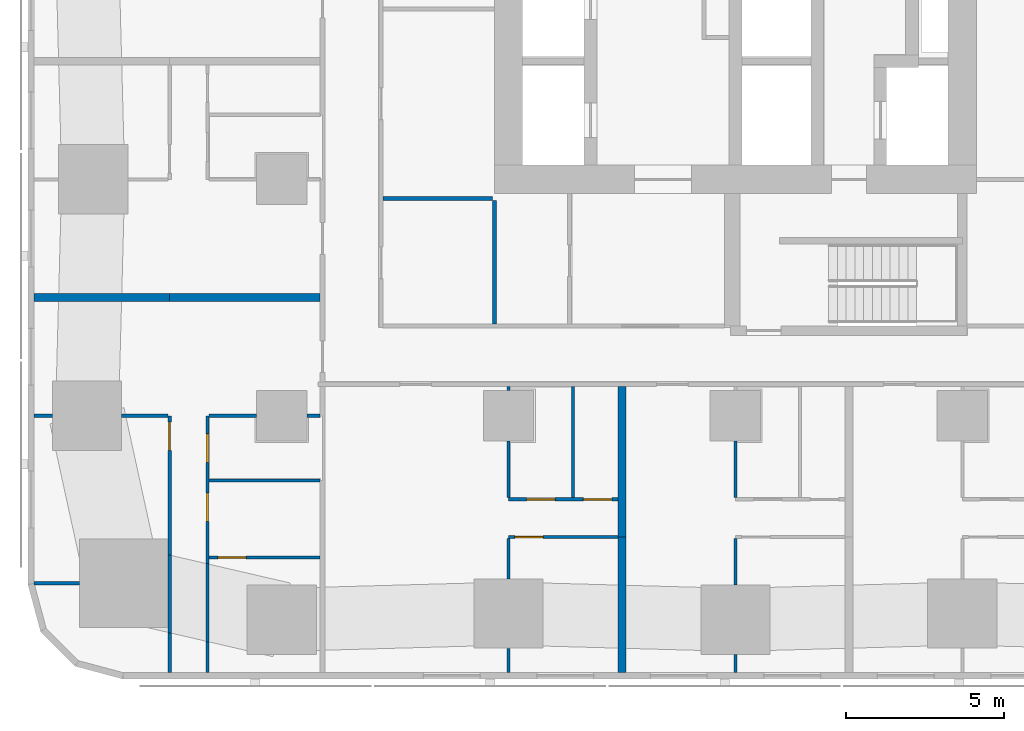
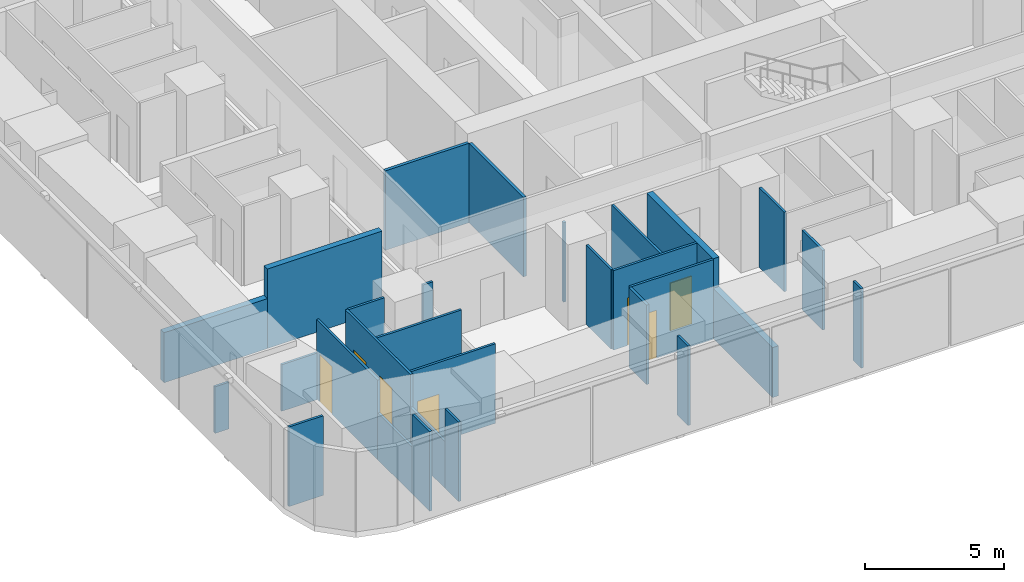
# One storey, part 2 of 16: 29 walls, 7 doors, 7 openings.
"""IFC4 building model written with IfcOpenShell, lengths in metres."""

from ifc_helpers import new_model, si_unit, direction, frame, frame_2d, origin, place, context, subcontext, project, spatial, rectangle, extrude, material, layer, layer_set, type_object, element, fill, save


model = new_model("IFC4")

# Units and contexts
model_context = context("Model", 3, precision=1e-05, world=origin(), true_north=direction((0.0, 1.0)))
body_context = subcontext(model_context, "Body", "Model", "MODEL_VIEW")
ifc_project = project(units=[si_unit("LENGTHUNIT", "METRE"), si_unit("AREAUNIT", "SQUARE_METRE"), si_unit("VOLUMEUNIT", "CUBIC_METRE"), si_unit("PLANEANGLEUNIT", "RADIAN"), si_unit("MASSUNIT", "GRAM", prefix="KILO")], contexts=[model_context])

# Site, building, storey
site_placement = place(None, origin())
site = spatial("IfcSite", under=ifc_project, at=site_placement, CompositionType="ELEMENT")
building_placement = place(site_placement, origin())
building = spatial("IfcBuilding", under=site, at=building_placement, Name="Sheger Commons Tower", CompositionType="ELEMENT")
storey_placement = place(building_placement, frame((0.0, 0.0, 96.64990234375)))
storey = spatial("IfcBuildingStorey", under=building, at=storey_placement, Name="L24", CompositionType="ELEMENT", Elevation=96.64990234375)

# Walls
ifc_material_1 = material(Name="Dense concrete block masonry, plastered both sides (separating wall between flats)", Category="masonry")
ifc_layer_1 = layer(ifc_material_1, 0.25)
ifc_layer_set_1 = layer_set([ifc_layer_1], Name="DEMISING WALL 250")
wall_type_1 = type_object("IfcWallType", Name="DEMISING WALL 250", PredefinedType="SOLIDWALL", material=ifc_layer_set_1)
wall_1_placement = place(storey_placement, frame((-0.64990234375, 11.25, 0.0), z_axis=(0.0, 0.0, 1.0), x_axis=(1.0, 0.0, 0.0)))
element("IfcWall", 1, at=wall_1_placement, inside=storey, type_object=wall_type_1, Name="Demising wall L24", PredefinedType="SOLIDWALL", context=body_context, shape_type="SweptSolid", body=[
    extrude(rectangle(XDim=4.2998046875, YDim=0.25, at=frame_2d((2.14990234375, 0.0))), origin(), (0.0, 0.0, 1.0), 2.2001953125),
])
wall_2_placement = place(storey_placement, frame((3.64990234375, 11.25, 0.0), z_axis=(0.0, 0.0, 1.0), x_axis=(1.0, 0.0, 0.0)))
element("IfcWall", 2, at=wall_2_placement, inside=storey, type_object=wall_type_1, Name="Demising wall L24", PredefinedType="SOLIDWALL", context=body_context, shape_type="SweptSolid", body=[
    extrude(rectangle(XDim=4.775146484375, YDim=0.25, at=frame_2d((2.3876953125, 0.0))), origin(), (0.0, 0.0, 1.0), 3.5),
])
wall_3_placement = place(storey_placement, frame((18.0, -0.64990234375, 0.0), z_axis=(0.0, 0.0, 1.0), x_axis=(0.0, 1.0, 0.0)))
element("IfcWall", 3, at=wall_3_placement, inside=storey, type_object=wall_type_1, Name="Demising wall L24", PredefinedType="SOLIDWALL", context=body_context, shape_type="SweptSolid", body=[
    extrude(rectangle(XDim=4.2998046875, YDim=0.25, at=frame_2d((2.14990234375, 0.0))), origin(), (0.0, 0.0, 1.0), 2.2001953125),
])
wall_4_placement = place(storey_placement, frame((18.0, 3.64990234375, 0.0), z_axis=(0.0, 0.0, 1.0), x_axis=(0.0, 1.0, 0.0)))
element("IfcWall", 4, at=wall_4_placement, inside=storey, type_object=wall_type_1, Name="Demising wall L24", PredefinedType="SOLIDWALL", context=body_context, shape_type="SweptSolid", body=[
    extrude(rectangle(XDim=4.775146484375, YDim=0.25, at=frame_2d((2.3876953125, 0.0))), origin(), (0.0, 0.0, 1.0), 3.5),
])
ifc_material_2 = material(Name="Gypsum board on steel studs", Category="steel")
ifc_layer_2 = layer(ifc_material_2, 0.10009765625)
ifc_layer_set_2 = layer_set([ifc_layer_2], Name="PARTITION 100")
wall_type_2 = type_object("IfcWallType", Name="PARTITION 100", PredefinedType="PARTITIONING", material=ifc_layer_set_2)
wall_5_placement = place(storey_placement, frame((3.64990234375, -0.64990234375, 0.0), z_axis=(0.0, 0.0, 1.0), x_axis=(0.0, 1.0, 0.0)))
element("IfcWall", 5, at=wall_5_placement, inside=storey, type_object=wall_type_2, Name="Partition L24", PredefinedType="PARTITIONING", context=body_context, shape_type="SweptSolid", body=[
    extrude(rectangle(XDim=1.25390625, YDim=0.10009765625, at=frame_2d((0.626953125, 0.0))), origin(), (0.0, 0.0, 1.0), 3.5),
])
wall_6_placement = place(storey_placement, frame((3.64990234375, 0.60400390625, 0.0), z_axis=(0.0, 0.0, 1.0), x_axis=(0.0, 1.0, 0.0)))
element("IfcWall", 6, at=wall_6_placement, inside=storey, type_object=wall_type_2, Name="Partition L24", PredefinedType="PARTITIONING", context=body_context, shape_type="SweptSolid", body=[
    extrude(rectangle(XDim=2.486083984375, YDim=0.10009765625, at=frame_2d((1.2431640625, 0.0))), origin(), (0.0, 0.0, 1.0), 2.050048828125),
])

# Wall, opening, door
wall_7_placement = place(storey_placement, frame((3.64990234375, 3.090087890625, 0.0), z_axis=(0.0, 0.0, 1.0), x_axis=(0.0, 1.0, 0.0)))
wall_7 = element("IfcWall", 7, at=wall_7_placement, inside=storey, type_object=wall_type_2, Name="Partition L24", PredefinedType="PARTITIONING", context=body_context, shape_type="SweptSolid", body=[
    extrude(rectangle(XDim=4.409912109375, YDim=0.10009765625, at=frame_2d((2.205078125, 0.0))), origin(), (0.0, 0.0, 1.0), 3.5),
])
opening_1_placement = place(wall_7_placement, frame((3.31005859375, 0.0, 0.0)))
opening_1 = element("IfcOpeningElement", 8, at=opening_1_placement, cuts=wall_7, Name="Opening D2", PredefinedType="OPENING", context=body_context, shape_type="SweptSolid", body=[
    extrude(rectangle(XDim=0.89990234375, YDim=2.10009765625, at=frame_2d((0.449951171875, 1.050048828125))), frame((0.0, 0.06005859375, 0.0), z_axis=(0.0, -1.0, 0.0), x_axis=(1.0, 0.0, 0.0)), (0.0, 0.0, 1.0), 0.1201171875),
])
ifc_material_3 = material(Name="Timber door set", Category="wood")
door_type = type_object("IfcDoorType", Name="INTERNAL DOOR 900x2100", OperationType="NOTDEFINED", PredefinedType="DOOR", material=ifc_material_3)
door_1_placement = place(opening_1_placement, origin())
door_1 = element("IfcDoor", 9, at=door_1_placement, inside=storey, type_object=door_type, Name="Main bedroom door", OperationType="SINGLE_SWING_RIGHT", OverallHeight=2.10009765625, OverallWidth=0.89990234375, PredefinedType="DOOR", context=body_context, shape_type="SweptSolid", body=[
    extrude(rectangle(XDim=0.89990234375, YDim=2.10009765625, at=frame_2d((0.449951171875, 1.050048828125))), frame((0.0, 0.02490234375, 0.0), z_axis=(0.0, -1.0, 0.0), x_axis=(1.0, 0.0, 0.0)), (0.0, 0.0, 1.0), 0.050048828125),
])
fill(opening_1, door_1)

# Walls
wall_8_placement = place(storey_placement, frame((4.85009765625, -0.64990234375, 0.0), z_axis=(0.0, 0.0, 1.0), x_axis=(0.0, 1.0, 0.0)))
element("IfcWall", 10, at=wall_8_placement, inside=storey, type_object=wall_type_2, Name="Partition L24", PredefinedType="PARTITIONING", context=body_context, shape_type="SweptSolid", body=[
    extrude(rectangle(XDim=0.975830078125, YDim=0.10009765625, at=frame_2d((0.48779296875, 0.0))), origin(), (0.0, 0.0, 1.0), 3.5),
])
wall_9_placement = place(storey_placement, frame((4.85009765625, 0.325927734375, 0.0), z_axis=(0.0, 0.0, 1.0), x_axis=(0.0, 1.0, 0.0)))
element("IfcWall", 11, at=wall_9_placement, inside=storey, type_object=wall_type_2, Name="Partition L24", PredefinedType="PARTITIONING", context=body_context, shape_type="SweptSolid", body=[
    extrude(rectangle(XDim=2.486083984375, YDim=0.10009765625, at=frame_2d((1.2431640625, 0.0))), origin(), (0.0, 0.0, 1.0), 2.050048828125),
])

# Wall, openings, doors
wall_10_placement = place(storey_placement, frame((4.85009765625, 2.81201171875, 0.0), z_axis=(0.0, 0.0, 1.0), x_axis=(0.0, 1.0, 0.0)))
wall_10 = element("IfcWall", 12, at=wall_10_placement, inside=storey, type_object=wall_type_2, Name="Partition L24", PredefinedType="PARTITIONING", context=body_context, shape_type="SweptSolid", body=[
    extrude(rectangle(XDim=4.68798828125, YDim=0.10009765625, at=frame_2d((2.343994140625, 0.0))), origin(), (0.0, 0.0, 1.0), 3.5),
])
opening_2_placement = place(wall_10_placement, frame((3.212890625, 0.0, 0.0)))
opening_2 = element("IfcOpeningElement", 13, at=opening_2_placement, cuts=wall_10, Name="Opening D2", PredefinedType="OPENING", context=body_context, shape_type="SweptSolid", body=[
    extrude(rectangle(XDim=0.89990234375, YDim=2.10009765625, at=frame_2d((0.449951171875, 1.050048828125))), frame((0.0, 0.06005859375, 0.0), z_axis=(0.0, -1.0, 0.0), x_axis=(1.0, 0.0, 0.0)), (0.0, 0.0, 1.0), 0.1201171875),
])
opening_3_placement = place(wall_10_placement, frame((1.337890625, 0.0, 0.0)))
opening_3 = element("IfcOpeningElement", 14, at=opening_3_placement, cuts=wall_10, Name="Opening D2", PredefinedType="OPENING", context=body_context, shape_type="SweptSolid", body=[
    extrude(rectangle(XDim=0.89990234375, YDim=2.10009765625, at=frame_2d((0.449951171875, 1.050048828125))), frame((0.0, 0.06005859375, 0.0), z_axis=(0.0, -1.0, 0.0), x_axis=(1.0, 0.0, 0.0)), (0.0, 0.0, 1.0), 0.1201171875),
])
door_2_placement = place(opening_2_placement, origin())
door_2 = element("IfcDoor", 15, at=door_2_placement, inside=storey, type_object=door_type, Name="Bathroom door", OperationType="SINGLE_SWING_LEFT", OverallHeight=2.10009765625, OverallWidth=0.89990234375, PredefinedType="DOOR", context=body_context, shape_type="SweptSolid", body=[
    extrude(rectangle(XDim=0.89990234375, YDim=2.10009765625, at=frame_2d((0.449951171875, 1.050048828125))), frame((0.0, 0.02490234375, 0.0), z_axis=(0.0, -1.0, 0.0), x_axis=(1.0, 0.0, 0.0)), (0.0, 0.0, 1.0), 0.050048828125),
])
fill(opening_2, door_2)
door_3_placement = place(opening_3_placement, origin())
door_3 = element("IfcDoor", 16, at=door_3_placement, inside=storey, type_object=door_type, Name="Store door", OperationType="SINGLE_SWING_LEFT", OverallHeight=2.10009765625, OverallWidth=0.89990234375, PredefinedType="DOOR", context=body_context, shape_type="SweptSolid", body=[
    extrude(rectangle(XDim=0.89990234375, YDim=2.10009765625, at=frame_2d((0.449951171875, 1.050048828125))), frame((0.0, 0.02490234375, 0.0), z_axis=(0.0, -1.0, 0.0), x_axis=(1.0, 0.0, 0.0)), (0.0, 0.0, 1.0), 0.050048828125),
])
fill(opening_3, door_3)

# Walls
wall_11_placement = place(storey_placement, frame((-0.64990234375, 2.18603515625, 0.0), z_axis=(0.0, 0.0, 1.0), x_axis=(1.0, 0.0, 0.0)))
element("IfcWall", 17, at=wall_11_placement, inside=storey, type_object=wall_type_2, Name="Partition L24", PredefinedType="PARTITIONING", context=body_context, shape_type="SweptSolid", body=[
    extrude(rectangle(XDim=1.434814453125, YDim=0.10009765625, at=frame_2d((0.71728515625, 0.0))), origin(), (0.0, 0.0, 1.0), 3.5),
])
wall_12_placement = place(storey_placement, frame((-0.64990234375, 7.5, 0.0), z_axis=(0.0, 0.0, 1.0), x_axis=(1.0, 0.0, 0.0)))
element("IfcWall", 18, at=wall_12_placement, inside=storey, type_object=wall_type_2, Name="Partition L24", PredefinedType="PARTITIONING", context=body_context, shape_type="SweptSolid", body=[
    extrude(rectangle(XDim=0.573974609375, YDim=0.10009765625, at=frame_2d((0.287109375, 0.0))), origin(), (0.0, 0.0, 1.0), 2.050048828125),
])
wall_13_placement = place(storey_placement, frame((2.1259765625, 7.5, 0.0), z_axis=(0.0, 0.0, 1.0), x_axis=(1.0, 0.0, 0.0)))
element("IfcWall", 19, at=wall_13_placement, inside=storey, type_object=wall_type_2, Name="Partition L24", PredefinedType="PARTITIONING", context=body_context, shape_type="SweptSolid", body=[
    extrude(rectangle(XDim=1.47412109375, YDim=0.10009765625, at=frame_2d((0.737060546875, 0.0))), origin(), (0.0, 0.0, 1.0), 2.050048828125),
])
wall_14_placement = place(storey_placement, frame((4.89990234375, 7.5, 0.0), z_axis=(0.0, 0.0, 1.0), x_axis=(1.0, 0.0, 0.0)))
element("IfcWall", 20, at=wall_14_placement, inside=storey, type_object=wall_type_2, Name="Partition L24", PredefinedType="PARTITIONING", context=body_context, shape_type="SweptSolid", body=[
    extrude(rectangle(XDim=1.4990234375, YDim=0.10009765625, at=frame_2d((0.74951171875, 0.0))), origin(), (0.0, 0.0, 1.0), 3.5),
])
wall_15_placement = place(storey_placement, frame((8.0009765625, 7.5, 0.0), z_axis=(0.0, 0.0, 1.0), x_axis=(1.0, 0.0, 0.0)))
element("IfcWall", 21, at=wall_15_placement, inside=storey, type_object=wall_type_2, Name="Partition L24", PredefinedType="PARTITIONING", context=body_context, shape_type="SweptSolid", body=[
    extrude(rectangle(XDim=0.424072265625, YDim=0.10009765625, at=frame_2d((0.2119140625, 0.0))), origin(), (0.0, 0.0, 1.0), 3.5),
])
wall_16_placement = place(storey_placement, frame((4.89990234375, 5.449951171875, 0.0), z_axis=(0.0, 0.0, 1.0), x_axis=(1.0, 0.0, 0.0)))
element("IfcWall", 22, at=wall_16_placement, inside=storey, type_object=wall_type_2, Name="Partition L24", PredefinedType="PARTITIONING", context=body_context, shape_type="SweptSolid", body=[
    extrude(rectangle(XDim=3.525146484375, YDim=0.10009765625, at=frame_2d((1.7626953125, 0.0))), origin(), (0.0, 0.0, 1.0), 3.5),
])

# Wall, opening, door
wall_17_placement = place(storey_placement, frame((17.875, 3.64990234375, 0.0), z_axis=(0.0, 0.0, 1.0), x_axis=(-1.0, 0.0, 0.0)))
wall_17 = element("IfcWall", 23, at=wall_17_placement, inside=storey, type_object=wall_type_2, Name="Partition L24", PredefinedType="PARTITIONING", context=body_context, shape_type="SweptSolid", body=[
    extrude(rectangle(XDim=3.47509765625, YDim=0.10009765625, at=frame_2d((1.737548828125, 0.0))), origin(), (0.0, 0.0, 1.0), 3.5),
])
opening_4_placement = place(wall_17_placement, frame((2.375, 0.0, 0.0)))
opening_4 = element("IfcOpeningElement", 24, at=opening_4_placement, cuts=wall_17, Name="Opening D2", PredefinedType="OPENING", context=body_context, shape_type="SweptSolid", body=[
    extrude(rectangle(XDim=0.89990234375, YDim=2.10009765625, at=frame_2d((0.449951171875, 1.050048828125))), frame((0.0, 0.06005859375, 0.0), z_axis=(0.0, -1.0, 0.0), x_axis=(1.0, 0.0, 0.0)), (0.0, 0.0, 1.0), 0.1201171875),
])
door_4_placement = place(opening_4_placement, origin())
door_4 = element("IfcDoor", 25, at=door_4_placement, inside=storey, type_object=door_type, Name="Main bedroom door", OperationType="SINGLE_SWING_RIGHT", OverallHeight=2.10009765625, OverallWidth=0.89990234375, PredefinedType="DOOR", context=body_context, shape_type="SweptSolid", body=[
    extrude(rectangle(XDim=0.89990234375, YDim=2.10009765625, at=frame_2d((0.449951171875, 1.050048828125))), frame((0.0, 0.02490234375, 0.0), z_axis=(0.0, -1.0, 0.0), x_axis=(1.0, 0.0, 0.0)), (0.0, 0.0, 1.0), 0.050048828125),
])
fill(opening_4, door_4)

# Wall, openings, doors
wall_18_placement = place(storey_placement, frame((17.875, 4.85009765625, 0.0), z_axis=(0.0, 0.0, 1.0), x_axis=(-1.0, 0.0, 0.0)))
wall_18 = element("IfcWall", 26, at=wall_18_placement, inside=storey, type_object=wall_type_2, Name="Partition L24", PredefinedType="PARTITIONING", context=body_context, shape_type="SweptSolid", body=[
    extrude(rectangle(XDim=3.47509765625, YDim=0.10009765625, at=frame_2d((1.737548828125, 0.0))), origin(), (0.0, 0.0, 1.0), 3.5),
])
opening_5_placement = place(wall_18_placement, frame((2.0, 0.0, 0.0)))
opening_5 = element("IfcOpeningElement", 27, at=opening_5_placement, cuts=wall_18, Name="Opening D2", PredefinedType="OPENING", context=body_context, shape_type="SweptSolid", body=[
    extrude(rectangle(XDim=0.89990234375, YDim=2.10009765625, at=frame_2d((0.449951171875, 1.050048828125))), frame((0.0, 0.06005859375, 0.0), z_axis=(0.0, -1.0, 0.0), x_axis=(1.0, 0.0, 0.0)), (0.0, 0.0, 1.0), 0.1201171875),
])
opening_6_placement = place(wall_18_placement, frame((0.199951171875, 0.0, 0.0)))
opening_6 = element("IfcOpeningElement", 28, at=opening_6_placement, cuts=wall_18, Name="Opening D2", PredefinedType="OPENING", context=body_context, shape_type="SweptSolid", body=[
    extrude(rectangle(XDim=0.89990234375, YDim=2.10009765625, at=frame_2d((0.449951171875, 1.050048828125))), frame((0.0, 0.06005859375, 0.0), z_axis=(0.0, -1.0, 0.0), x_axis=(1.0, 0.0, 0.0)), (0.0, 0.0, 1.0), 0.1201171875),
])
door_5_placement = place(opening_5_placement, origin())
door_5 = element("IfcDoor", 29, at=door_5_placement, inside=storey, type_object=door_type, Name="Bathroom door", OperationType="SINGLE_SWING_LEFT", OverallHeight=2.10009765625, OverallWidth=0.89990234375, PredefinedType="DOOR", context=body_context, shape_type="SweptSolid", body=[
    extrude(rectangle(XDim=0.89990234375, YDim=2.10009765625, at=frame_2d((0.449951171875, 1.050048828125))), frame((0.0, 0.02490234375, 0.0), z_axis=(0.0, -1.0, 0.0), x_axis=(1.0, 0.0, 0.0)), (0.0, 0.0, 1.0), 0.050048828125),
])
fill(opening_5, door_5)
door_6_placement = place(opening_6_placement, origin())
door_6 = element("IfcDoor", 30, at=door_6_placement, inside=storey, type_object=door_type, Name="Store door", OperationType="SINGLE_SWING_RIGHT", OverallHeight=2.10009765625, OverallWidth=0.89990234375, PredefinedType="DOOR", context=body_context, shape_type="SweptSolid", body=[
    extrude(rectangle(XDim=0.89990234375, YDim=2.10009765625, at=frame_2d((0.449951171875, 1.050048828125))), frame((0.0, 0.02490234375, 0.0), z_axis=(0.0, -1.0, 0.0), x_axis=(1.0, 0.0, 0.0)), (0.0, 0.0, 1.0), 0.050048828125),
])
fill(opening_6, door_6)

# Walls
wall_19_placement = place(storey_placement, frame((14.39990234375, -0.64990234375, 0.0), z_axis=(0.0, 0.0, 1.0), x_axis=(0.0, 1.0, 0.0)))
element("IfcWall", 31, at=wall_19_placement, inside=storey, type_object=wall_type_2, Name="Partition L24", PredefinedType="PARTITIONING", context=body_context, shape_type="SweptSolid", body=[
    extrude(rectangle(XDim=0.77392578125, YDim=0.10009765625, at=frame_2d((0.386962890625, 0.0))), origin(), (0.0, 0.0, 1.0), 3.5),
])
wall_20_placement = place(storey_placement, frame((14.39990234375, 2.325927734375, 0.0), z_axis=(0.0, 0.0, 1.0), x_axis=(0.0, 1.0, 0.0)))
element("IfcWall", 32, at=wall_20_placement, inside=storey, type_object=wall_type_2, Name="Partition L24", PredefinedType="PARTITIONING", context=body_context, shape_type="SweptSolid", body=[
    extrude(rectangle(XDim=1.274169921875, YDim=0.10009765625, at=frame_2d((0.63720703125, 0.0))), origin(), (0.0, 0.0, 1.0), 3.5),
])
wall_21_placement = place(storey_placement, frame((14.39990234375, 4.89990234375, 0.0), z_axis=(0.0, 0.0, 1.0), x_axis=(0.0, 1.0, 0.0)))
element("IfcWall", 33, at=wall_21_placement, inside=storey, type_object=wall_type_2, Name="Partition L24", PredefinedType="PARTITIONING", context=body_context, shape_type="SweptSolid", body=[
    extrude(rectangle(XDim=1.799072265625, YDim=0.10009765625, at=frame_2d((0.8994140625, 0.0))), origin(), (0.0, 0.0, 1.0), 3.5),
])
wall_22_placement = place(storey_placement, frame((14.39990234375, 8.301025390625, 0.0), z_axis=(0.0, 0.0, 1.0), x_axis=(0.0, 1.0, 0.0)))
element("IfcWall", 34, at=wall_22_placement, inside=storey, type_object=wall_type_2, Name="Partition L24", PredefinedType="PARTITIONING", context=body_context, shape_type="SweptSolid", body=[
    extrude(rectangle(XDim=0.1240234375, YDim=0.10009765625, at=frame_2d((0.06201171875, 0.0))), origin(), (0.0, 0.0, 1.0), 3.5),
])
wall_23_placement = place(storey_placement, frame((16.449951171875, 4.89990234375, 0.0), z_axis=(0.0, 0.0, 1.0), x_axis=(0.0, 1.0, 0.0)))
element("IfcWall", 35, at=wall_23_placement, inside=storey, type_object=wall_type_2, Name="Partition L24", PredefinedType="PARTITIONING", context=body_context, shape_type="SweptSolid", body=[
    extrude(rectangle(XDim=3.525146484375, YDim=0.10009765625, at=frame_2d((1.7626953125, 0.0))), origin(), (0.0, 0.0, 1.0), 3.5),
])
wall_24_placement = place(storey_placement, frame((21.60009765625, -0.64990234375, 0.0), z_axis=(0.0, 0.0, 1.0), x_axis=(0.0, 1.0, 0.0)))
element("IfcWall", 36, at=wall_24_placement, inside=storey, type_object=wall_type_2, Name="Partition L24", PredefinedType="PARTITIONING", context=body_context, shape_type="SweptSolid", body=[
    extrude(rectangle(XDim=0.573974609375, YDim=0.10009765625, at=frame_2d((0.287109375, 0.0))), origin(), (0.0, 0.0, 1.0), 3.5),
])
wall_25_placement = place(storey_placement, frame((21.60009765625, 2.1259765625, 0.0), z_axis=(0.0, 0.0, 1.0), x_axis=(0.0, 1.0, 0.0)))
element("IfcWall", 37, at=wall_25_placement, inside=storey, type_object=wall_type_2, Name="Partition L24", PredefinedType="PARTITIONING", context=body_context, shape_type="SweptSolid", body=[
    extrude(rectangle(XDim=1.47412109375, YDim=0.10009765625, at=frame_2d((0.737060546875, 0.0))), origin(), (0.0, 0.0, 1.0), 3.5),
])
wall_26_placement = place(storey_placement, frame((21.60009765625, 4.89990234375, 0.0), z_axis=(0.0, 0.0, 1.0), x_axis=(0.0, 1.0, 0.0)))
element("IfcWall", 38, at=wall_26_placement, inside=storey, type_object=wall_type_2, Name="Partition L24", PredefinedType="PARTITIONING", context=body_context, shape_type="SweptSolid", body=[
    extrude(rectangle(XDim=1.799072265625, YDim=0.10009765625, at=frame_2d((0.8994140625, 0.0))), origin(), (0.0, 0.0, 1.0), 3.5),
])

# Wall, opening, door
wall_27_placement = place(storey_placement, frame((8.425048828125, 3.0, 0.0), z_axis=(0.0, 0.0, 1.0), x_axis=(-1.0, 0.0, 0.0)))
wall_27 = element("IfcWall", 39, at=wall_27_placement, inside=storey, type_object=wall_type_2, Name="Partition L24", PredefinedType="PARTITIONING", context=body_context, shape_type="SweptSolid", body=[
    extrude(rectangle(XDim=3.525146484375, YDim=0.10009765625, at=frame_2d((1.7626953125, 0.0))), origin(), (0.0, 0.0, 1.0), 3.5),
])
opening_7_placement = place(wall_27_placement, frame((2.35009765625, 0.0, 0.0)))
opening_7 = element("IfcOpeningElement", 40, at=opening_7_placement, cuts=wall_27, Name="Opening D2", PredefinedType="OPENING", context=body_context, shape_type="SweptSolid", body=[
    extrude(rectangle(XDim=0.89990234375, YDim=2.10009765625, at=frame_2d((0.449951171875, 1.050048828125))), frame((0.0, 0.06005859375, 0.0), z_axis=(0.0, -1.0, 0.0), x_axis=(1.0, 0.0, 0.0)), (0.0, 0.0, 1.0), 0.1201171875),
])
door_7_placement = place(opening_7_placement, origin())
door_7 = element("IfcDoor", 41, at=door_7_placement, inside=storey, type_object=door_type, Name="Store door", OperationType="SINGLE_SWING_RIGHT", OverallHeight=2.10009765625, OverallWidth=0.89990234375, PredefinedType="DOOR", context=body_context, shape_type="SweptSolid", body=[
    extrude(rectangle(XDim=0.89990234375, YDim=2.10009765625, at=frame_2d((0.449951171875, 1.050048828125))), frame((0.0, 0.02490234375, 0.0), z_axis=(0.0, -1.0, 0.0), x_axis=(1.0, 0.0, 0.0)), (0.0, 0.0, 1.0), 0.050048828125),
])
fill(opening_7, door_7)

# Walls
ifc_material_4 = material(Name="Gypsum board on steel studs, two layers each side, fire rated", Category="steel")
ifc_layer_3 = layer(ifc_material_4, 0.125)
ifc_layer_set_3 = layer_set([ifc_layer_3], Name="SERVICE WALL 125")
wall_type_3 = type_object("IfcWallType", Name="SERVICE WALL 125", PredefinedType="PARTITIONING", material=ifc_layer_set_3)
wall_28_placement = place(storey_placement, frame((10.4130859375, 14.39990234375, 0.0), z_axis=(0.0, 0.0, 1.0), x_axis=(1.0, 0.0, 0.0)))
element("IfcWall", 42, at=wall_28_placement, inside=storey, type_object=wall_type_3, Name="Service room wall L24", PredefinedType="PARTITIONING", context=body_context, shape_type="SweptSolid", body=[
    extrude(rectangle(XDim=3.474853515625, YDim=0.125, at=frame_2d((1.7373046875, 0.0))), origin(), (0.0, 0.0, 1.0), 3.5),
])
wall_29_placement = place(storey_placement, frame((13.949951171875, 10.4130859375, 0.0), z_axis=(0.0, 0.0, 1.0), x_axis=(0.0, 1.0, 0.0)))
element("IfcWall", 43, at=wall_29_placement, inside=storey, type_object=wall_type_3, Name="Service room wall L24", PredefinedType="PARTITIONING", context=body_context, shape_type="SweptSolid", body=[
    extrude(rectangle(XDim=3.9248046875, YDim=0.125, at=frame_2d((1.96240234375, 0.0))), origin(), (0.0, 0.0, 1.0), 3.5),
])

save(model, "model.ifc")
